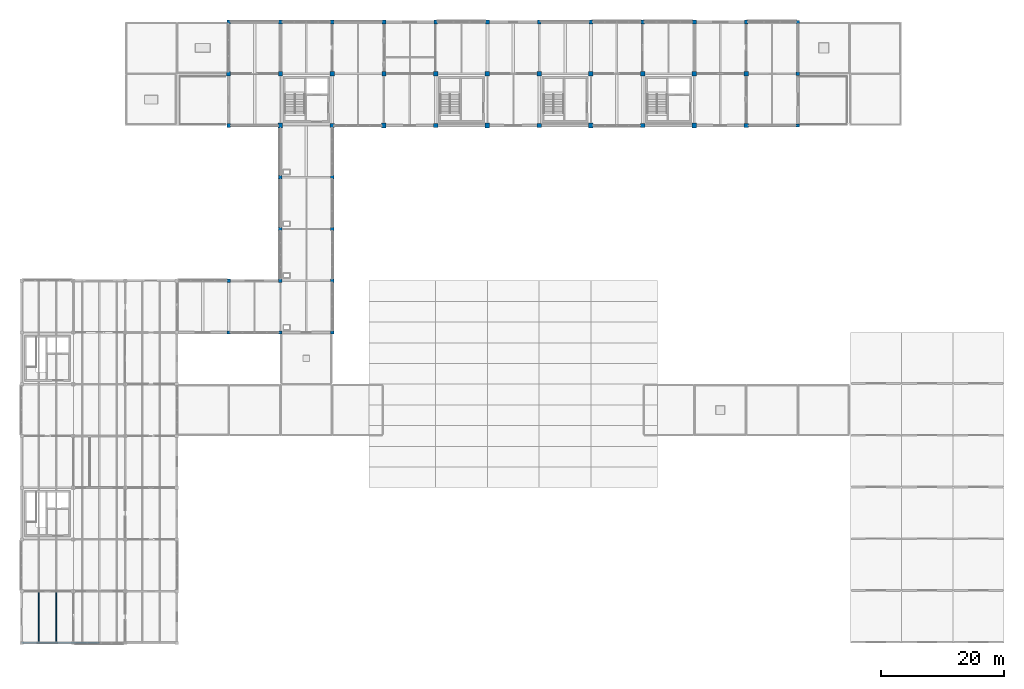
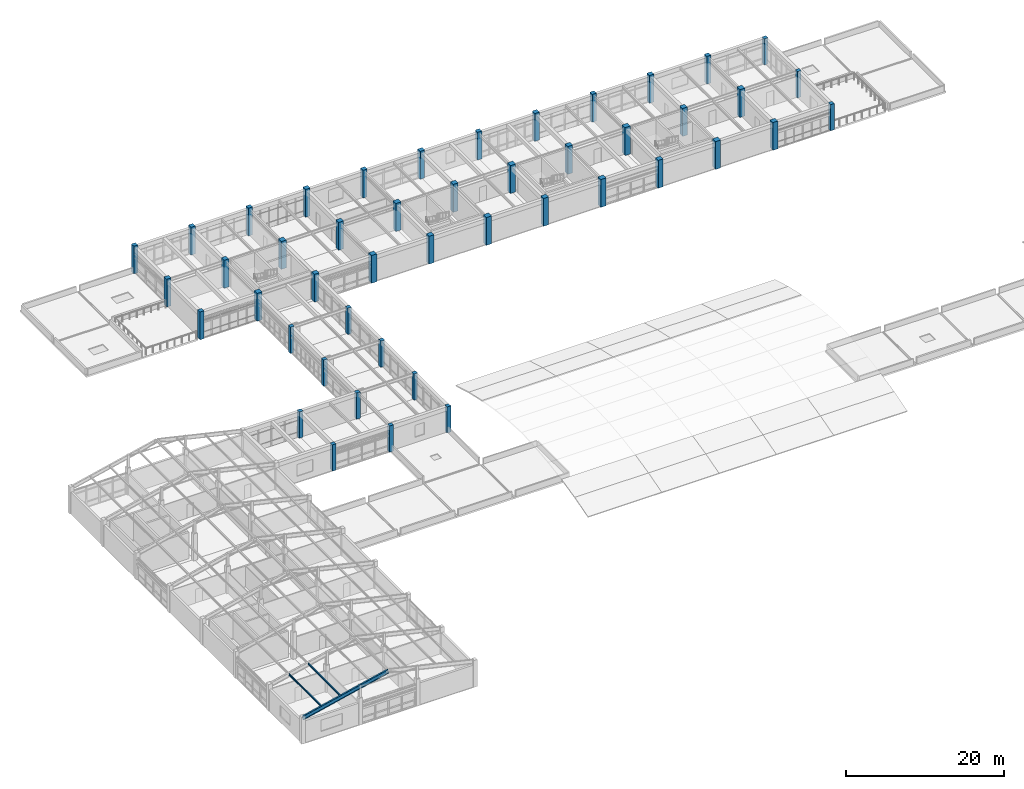
# One storey, part 3 of 40: 46 columns, 2 members, 1 beam.
"""IFC4 building model written with IfcOpenShell, lengths in metres."""

import ifcopenshell
import ifcopenshell.guid

model = None  # the IFC model being written
_history = None  # IfcOwnerHistory: only IFC2X3 demands one
_inside = {}  # id of a spatial element -> (the spatial element, [elements in it])
_under = {}  # id of a project, library or spatial element -> (it, [spatial elements below it])
_declared = {}  # id of a project -> (the project, [libraries it declares])
_typed = {}  # id of a type object -> (the type object, [elements of that type])
_made_of = {}  # id of a material, layer set ... -> (it, [elements and type objects made of it])


def new_model(schema):
    """Start an empty IFC model of exactly this schema.

    Asked for "IFC4X3", IfcOpenShell would pick the latest addendum, in which some entities
    have other attributes; the version numbers below select the first issue.
    IFC2X3 requires an IfcOwnerHistory on every rooted entity: one is made here for all.
    """
    global model, _history
    if schema == "IFC4X3":
        model = ifcopenshell.file(schema_version=(4, 3, 0, 0))
    else:
        model = ifcopenshell.file(schema=schema)
    _inside.clear()
    _under.clear()
    _declared.clear()
    _typed.clear()
    _made_of.clear()
    _history = None
    if model.schema == "IFC2X3":
        org = make("IfcOrganization", Name="unknown")
        user = make(
            "IfcPersonAndOrganization",
            ThePerson=make("IfcPerson", FamilyName="unknown"),
            TheOrganization=org,
        )
        app = make(
            "IfcApplication",
            ApplicationDeveloper=org,
            Version="unknown",
            ApplicationFullName="unknown",
            ApplicationIdentifier="unknown",
        )
        _history = make(
            "IfcOwnerHistory",
            OwningUser=user,
            OwningApplication=app,
            ChangeAction="ADDED",
            CreationDate=0,
        )
    return model


def make(cls, **values):
    """One entity of the class cls with the attributes given. An attribute that is None is left unset."""
    return model.create_entity(
        cls, **{name: value for name, value in values.items() if value is not None}
    )


def rooted(cls, **values):
    """An entity with a GlobalId (a new one), such as an element, a storey or a relation."""
    return make(cls, GlobalId=ifcopenshell.guid.new(), OwnerHistory=_history, **values)


def si_unit(unit_type, name, prefix=None):
    """IfcSIUnit, for example si_unit("LENGTHUNIT", "METRE", prefix="MILLI")."""
    return make("IfcSIUnit", UnitType=unit_type, Prefix=prefix, Name=name)


def assignment(units):
    """IfcUnitAssignment: the units of a project."""
    return None if units is None else make("IfcUnitAssignment", Units=units)


def point(xyz):
    """IfcCartesianPoint."""
    return None if xyz is None else make("IfcCartesianPoint", Coordinates=xyz)


def direction(xyz):
    """IfcDirection."""
    return None if xyz is None else make("IfcDirection", DirectionRatios=xyz)


def frame(location, z_axis=None, x_axis=None):
    """IfcAxis2Placement3D, a coordinate frame: its origin and axes. An axis left out is left unset."""
    return make(
        "IfcAxis2Placement3D",
        Location=point(location),
        Axis=direction(z_axis),
        RefDirection=direction(x_axis),
    )


def frame_2d(location, x_axis=None):
    """IfcAxis2Placement2D, a coordinate frame in the plane: its origin and x axis."""
    return make(
        "IfcAxis2Placement2D", Location=point(location), RefDirection=direction(x_axis)
    )


def origin():
    """The frame at (0, 0, 0) with its axes left unset."""
    return frame((0.0, 0.0, 0.0))


def origin_2d():
    """The frame at (0, 0) in the plane with its x axis left unset."""
    return frame_2d((0.0, 0.0))


def place(relative_to, where):
    """IfcLocalPlacement: puts the frame where relative to a parent placement (None: the world)."""
    return make(
        "IfcLocalPlacement", PlacementRelTo=relative_to, RelativePlacement=where
    )


def context(
    kind, dimensions, precision=None, world=None, true_north=None, identifier=None
):
    """IfcGeometricRepresentationContext, for example the 3D "Model" context."""
    return make(
        "IfcGeometricRepresentationContext",
        ContextIdentifier=identifier,
        ContextType=kind,
        CoordinateSpaceDimension=dimensions,
        Precision=precision,
        WorldCoordinateSystem=world,
        TrueNorth=true_north,
    )


def subcontext(parent, identifier, kind, view, scale=None):
    """IfcGeometricRepresentationSubContext, for example "Body" below "Model"."""
    return make(
        "IfcGeometricRepresentationSubContext",
        ContextIdentifier=identifier,
        ContextType=kind,
        ParentContext=parent,
        TargetScale=scale,
        TargetView=view,
    )


def project(units=None, contexts=None):
    """IfcProject with its units and contexts."""
    return rooted(
        "IfcProject",
        Name="project",
        RepresentationContexts=contexts,
        UnitsInContext=assignment(units),
    )


def spatial(cls, under=None, at=None, **own):
    """A site, building, storey or space (cls), placed at a placement, below another one or the project."""
    s = rooted(cls, ObjectPlacement=at, **own)
    if under is not None:
        _under.setdefault(under.id(), (under, []))[1].append(s)
    return s


def profile(cls, at=None, kind="AREA", **sizes):
    """A parametric profile (cls). Its sizes go by their IFC names, for example OverallWidth=200.0."""
    return make(cls, ProfileType=kind, Position=at, **sizes)


def rectangle(**sizes):
    """IfcRectangleProfileDef."""
    return profile("IfcRectangleProfileDef", **sizes)


def i_section(**sizes):
    """IfcIShapeProfileDef."""
    return profile("IfcIShapeProfileDef", **sizes)


def extrude(swept, where, along, depth):
    """IfcExtrudedAreaSolid: the profile swept, set in the frame where, extruded along a direction by depth."""
    return make(
        "IfcExtrudedAreaSolid",
        SweptArea=swept,
        Position=where,
        ExtrudedDirection=direction(along),
        Depth=depth,
    )


def shape(context_of_items, identifier, shape_type, items):
    """IfcShapeRepresentation: the items that make up one representation, for example the "Body"."""
    return make(
        "IfcShapeRepresentation",
        ContextOfItems=context_of_items,
        RepresentationIdentifier=identifier,
        RepresentationType=shape_type,
        Items=items,
    )


def material(Name=None, Category=None):
    """IfcMaterial."""
    return make("IfcMaterial", Name=Name, Category=Category)


def material_profile(
    of_material, cross_section, Name=None, Category=None, Priority=None
):
    """IfcMaterialProfile: a cross section and its material."""
    return make(
        "IfcMaterialProfile",
        Name=Name,
        Material=of_material,
        Profile=cross_section,
        Priority=Priority,
        Category=Category,
    )


def profile_set(profiles, Name=None, composite=None):
    """IfcMaterialProfileSet."""
    return make(
        "IfcMaterialProfileSet",
        Name=Name,
        MaterialProfiles=profiles,
        CompositeProfile=composite,
    )


def made_of(thing, what):
    """Note that an element or type object is made of a material, layer set ...; save() writes the relation."""
    if what is not None:
        _made_of.setdefault(what.id(), (what, []))[1].append(thing)
    return thing


def type_object(cls, material=None, **own):
    """A type object (cls), such as IfcWallType, which elements share."""
    return made_of(rooted(cls, **own), material)


def element(
    cls,
    number,
    at=None,
    inside=None,
    cuts=None,
    type_object=None,
    material=None,
    context=None,
    identifier="Body",
    shape_type=None,
    held_by="IfcProductDefinitionShape",
    body=None,
    shapes=None,
    **own,
):
    """One element of the class cls, such as IfcWall. Its Tag is "e" and its number.

    at: its placement. inside: the storey or other place that contains it. cuts: it is an
    opening in that element (IfcRelVoidsElement). A single representation is given by context,
    identifier, shape_type and body (its items); several are given by shapes. held_by: the class
    of the entity that holds the representations. save() writes the other relations.
    """
    e = rooted(cls, Tag="e%d" % number, ObjectPlacement=at, **own)
    if body is not None:
        shapes = [shape(context, identifier, shape_type, body)]
    if shapes is not None:
        e.Representation = make(held_by, Representations=shapes)
    if inside is not None:
        _inside.setdefault(inside.id(), (inside, []))[1].append(e)
    if cuts is not None:
        rooted(
            "IfcRelVoidsElement", RelatingBuildingElement=cuts, RelatedOpeningElement=e
        )
    if type_object is not None:
        _typed.setdefault(type_object.id(), (type_object, []))[1].append(e)
    return made_of(e, material)


def aggregate(whole, parts):
    """IfcRelAggregates: a whole, such as a stair, and the parts it consists of."""
    return rooted("IfcRelAggregates", RelatingObject=whole, RelatedObjects=parts)


def save(model, path):
    """Write the relations noted so far, then the file.

    IfcRelAggregates (storeys below a building ...), IfcRelContainedInSpatialStructure (elements
    in a storey), IfcRelDefinesByType, IfcRelAssociatesMaterial and IfcRelDeclares: one each for
    every whole, place, type object, material and project.
    """
    for whole, parts in _under.values():
        aggregate(whole, parts)
    for where, things in _inside.values():
        rooted(
            "IfcRelContainedInSpatialStructure",
            RelatedElements=things,
            RelatingStructure=where,
        )
    for kind, things in _typed.values():
        rooted("IfcRelDefinesByType", RelatedObjects=things, RelatingType=kind)
    for what, things in _made_of.values():
        rooted("IfcRelAssociatesMaterial", RelatedObjects=things, RelatingMaterial=what)
    for by, libraries in _declared.values():
        rooted("IfcRelDeclares", RelatingContext=by, RelatedDefinitions=libraries)
    model.write(path)


model = new_model("IFC4")

# Units and contexts
model_context = context("Model", 3, precision=1e-05, world=origin(), true_north=direction((0.0, 1.0)))
body_context = subcontext(model_context, "Body", "Model", "MODEL_VIEW")
ifc_project = project(units=[si_unit("LENGTHUNIT", "METRE"), si_unit("AREAUNIT", "SQUARE_METRE"), si_unit("VOLUMEUNIT", "CUBIC_METRE"), si_unit("PLANEANGLEUNIT", "RADIAN"), si_unit("MASSUNIT", "GRAM", prefix="KILO")], contexts=[model_context])

# Site, building, storey
site_placement = place(None, origin())
site = spatial("IfcSite", under=ifc_project, at=site_placement, CompositionType="ELEMENT")
building_placement = place(site_placement, origin())
building = spatial("IfcBuilding", under=site, at=building_placement, Name="Porcellanite Civic Hall", CompositionType="ELEMENT")
storey_placement = place(building_placement, frame((0.0, 0.0, 19.080078125)))
storey = spatial("IfcBuildingStorey", under=building, at=storey_placement, Name="L04", CompositionType="ELEMENT", Elevation=19.080078125)

# Columns
ifc_material_1 = material(Name="Concrete N50 (50 MPa)", Category="concrete")
ifc_material_profile_1 = material_profile(ifc_material_1, rectangle(XDim=0.550048828125, YDim=0.550048828125, at=origin_2d()), Name="RC-550x550")
ifc_profile_set_1 = profile_set([ifc_material_profile_1], Name="Concrete N50 (50 MPa)")
column_type_1 = type_object("IfcColumnType", Name="COL-550", PredefinedType="COLUMN", material=ifc_profile_set_1)
for number, where, z_axis, x_axis, name in (
    (1, (42.0, 67.199951171875, 0.0), (0.0, 0.0, 1.0), (1.0, 0.0, 0.0), "Column L04 5-8"),
    (2, (42.0, 75.60009765625, 0.0), (0.0, 0.0, 1.0), (1.0, 0.0, 0.0), "Column L04 5-9"),
    (3, (50.39990234375, 67.199951171875, 0.0), (0.0, 0.0, 1.0), (1.0, 0.0, 0.0), "Column L04 6-8"),
    (4, (50.39990234375, 75.60009765625, 0.0), (0.0, 0.0, 1.0), (1.0, 0.0, 0.0), "Column L04 6-9"),
    (5, (50.39990234375, 84.0, 0.0), (0.0, 0.0, 1.0), (1.0, 0.0, 0.0), "Column L04 6-10"),
    (6, (50.39990234375, 92.39990234375, 0.0), (0.0, 0.0, 1.0), (1.0, 0.0, 0.0), "Column L04 6-11"),
    (7, (58.800048828125, 67.199951171875, 0.0), (0.0, 0.0, 1.0), (1.0, 0.0, 0.0), "Column L04 7-8"),
    (8, (58.800048828125, 75.60009765625, 0.0), (0.0, 0.0, 1.0), (1.0, 0.0, 0.0), "Column L04 7-9"),
    (9, (58.800048828125, 84.0, 0.0), (0.0, 0.0, 1.0), (1.0, 0.0, 0.0), "Column L04 7-10"),
    (10, (58.800048828125, 92.39990234375, 0.0), (0.0, 0.0, 1.0), (1.0, 0.0, 0.0), "Column L04 7-11"),
    (11, (134.39990234375, 100.800048828125, 0.0), (0.0, 0.0, 1.0), (1.0, 0.0, 0.0), "Column L04 16-12"),
    (12, (134.39990234375, 109.199951171875, 0.0), (0.0, 0.0, 1.0), (1.0, 0.0, 0.0), "Column L04 16-13"),
    (13, (134.39990234375, 117.60009765625, 0.0), (0.0, 0.0, 1.0), (1.0, 0.0, 0.0), "Column L04 16-14"),
):
    element("IfcColumn", number, at=place(storey_placement, frame(where, z_axis=z_axis, x_axis=x_axis)), inside=storey, type_object=column_type_1, Name=name, PredefinedType="COLUMN", context=body_context, shape_type="SweptSolid", body=[
        extrude(rectangle(XDim=0.550048828125, YDim=0.550048828125, at=origin_2d()), origin(), (0.0, 0.0, 1.0), 4.06982421875),
    ])
ifc_material_2 = material(Name="Concrete N50 (50 MPa)", Category="concrete")
ifc_material_profile_2 = material_profile(ifc_material_2, rectangle(XDim=0.60009765625, YDim=0.60009765625, at=origin_2d()), Name="RC-600x600")
ifc_profile_set_2 = profile_set([ifc_material_profile_2], Name="Concrete N50 (50 MPa)")
column_type_2 = type_object("IfcColumnType", Name="COL-600", PredefinedType="COLUMN", material=ifc_profile_set_2)
for number, where, z_axis, x_axis, name in (
    (14, (42.0, 100.800048828125, 0.0), (0.0, 0.0, 1.0), (1.0, 0.0, 0.0), "Column L04 5-12"),
    (15, (42.0, 117.60009765625, 0.0), (0.0, 0.0, 1.0), (1.0, 0.0, 0.0), "Column L04 5-14"),
    (16, (58.800048828125, 117.60009765625, 0.0), (0.0, 0.0, 1.0), (1.0, 0.0, 0.0), "Column L04 7-14"),
    (17, (75.60009765625, 117.60009765625, 0.0), (0.0, 0.0, 1.0), (1.0, 0.0, 0.0), "Column L04 9-14"),
    (18, (92.39990234375, 117.60009765625, 0.0), (0.0, 0.0, 1.0), (1.0, 0.0, 0.0), "Column L04 11-14"),
    (19, (109.199951171875, 117.60009765625, 0.0), (0.0, 0.0, 1.0), (1.0, 0.0, 0.0), "Column L04 13-14"),
    (20, (126.0, 117.60009765625, 0.0), (0.0, 0.0, 1.0), (1.0, 0.0, 0.0), "Column L04 15-14"),
):
    element("IfcColumn", number, at=place(storey_placement, frame(where, z_axis=z_axis, x_axis=x_axis)), inside=storey, type_object=column_type_2, Name=name, PredefinedType="COLUMN", context=body_context, shape_type="SweptSolid", body=[
        extrude(rectangle(XDim=0.60009765625, YDim=0.60009765625, at=origin_2d()), origin(), (0.0, 0.0, 1.0), 4.31982421875),
    ])
ifc_material_3 = material(Name="Concrete N50 (50 MPa)", Category="concrete")
ifc_material_profile_3 = material_profile(ifc_material_3, rectangle(XDim=0.64990234375, YDim=0.64990234375, at=origin_2d()), Name="RC-650x650")
ifc_profile_set_3 = profile_set([ifc_material_profile_3], Name="Concrete N50 (50 MPa)")
column_type_3 = type_object("IfcColumnType", Name="COL-650", PredefinedType="COLUMN", material=ifc_profile_set_3)
for number, where, z_axis, x_axis, name in (
    (21, (42.0, 109.199951171875, 0.0), (0.0, 0.0, 1.0), (1.0, 0.0, 0.0), "Column L04 5-13"),
    (22, (50.39990234375, 117.60009765625, 0.0), (0.0, 0.0, 1.0), (1.0, 0.0, 0.0), "Column L04 6-14"),
    (23, (67.199951171875, 117.60009765625, 0.0), (0.0, 0.0, 1.0), (1.0, 0.0, 0.0), "Column L04 8-14"),
    (24, (84.0, 117.60009765625, 0.0), (0.0, 0.0, 1.0), (1.0, 0.0, 0.0), "Column L04 10-14"),
    (25, (100.800048828125, 117.60009765625, 0.0), (0.0, 0.0, 1.0), (1.0, 0.0, 0.0), "Column L04 12-14"),
    (26, (117.60009765625, 117.60009765625, 0.0), (0.0, 0.0, 1.0), (1.0, 0.0, 0.0), "Column L04 14-14"),
):
    element("IfcColumn", number, at=place(storey_placement, frame(where, z_axis=z_axis, x_axis=x_axis)), inside=storey, type_object=column_type_3, Name=name, PredefinedType="COLUMN", context=body_context, shape_type="SweptSolid", body=[
        extrude(rectangle(XDim=0.64990234375, YDim=0.64990234375, at=origin_2d()), origin(), (0.0, 0.0, 1.0), 4.31982421875),
    ])
ifc_material_4 = material(Name="Concrete N50 (50 MPa)", Category="concrete")
ifc_material_profile_4 = material_profile(ifc_material_4, rectangle(XDim=0.699951171875, YDim=0.699951171875, at=origin_2d()), Name="RC-700x700")
ifc_profile_set_4 = profile_set([ifc_material_profile_4], Name="Concrete N50 (50 MPa)")
column_type_4 = type_object("IfcColumnType", Name="COL-700", PredefinedType="COLUMN", material=ifc_profile_set_4)
for number, where, z_axis, x_axis, name in (
    (27, (50.39990234375, 109.199951171875, 0.0), (0.0, 0.0, 1.0), (1.0, 0.0, 0.0), "Column L04 6-13"),
    (28, (58.800048828125, 100.800048828125, 0.0), (0.0, 0.0, 1.0), (1.0, 0.0, 0.0), "Column L04 7-12"),
    (29, (67.199951171875, 109.199951171875, 0.0), (0.0, 0.0, 1.0), (1.0, 0.0, 0.0), "Column L04 8-13"),
    (30, (75.60009765625, 100.800048828125, 0.0), (0.0, 0.0, 1.0), (1.0, 0.0, 0.0), "Column L04 9-12"),
    (31, (84.0, 109.199951171875, 0.0), (0.0, 0.0, 1.0), (1.0, 0.0, 0.0), "Column L04 10-13"),
    (32, (92.39990234375, 100.800048828125, 0.0), (0.0, 0.0, 1.0), (1.0, 0.0, 0.0), "Column L04 11-12"),
    (33, (100.800048828125, 109.199951171875, 0.0), (0.0, 0.0, 1.0), (1.0, 0.0, 0.0), "Column L04 12-13"),
    (34, (109.199951171875, 100.800048828125, 0.0), (0.0, 0.0, 1.0), (1.0, 0.0, 0.0), "Column L04 13-12"),
    (35, (117.60009765625, 109.199951171875, 0.0), (0.0, 0.0, 1.0), (1.0, 0.0, 0.0), "Column L04 14-13"),
    (36, (126.0, 100.800048828125, 0.0), (0.0, 0.0, 1.0), (1.0, 0.0, 0.0), "Column L04 15-12"),
):
    element("IfcColumn", number, at=place(storey_placement, frame(where, z_axis=z_axis, x_axis=x_axis)), inside=storey, type_object=column_type_4, Name=name, PredefinedType="COLUMN", context=body_context, shape_type="SweptSolid", body=[
        extrude(rectangle(XDim=0.699951171875, YDim=0.699951171875, at=origin_2d()), origin(), (0.0, 0.0, 1.0), 4.31982421875),
    ])
ifc_material_5 = material(Name="Concrete N50 (50 MPa)", Category="concrete")
ifc_material_profile_5 = material_profile(ifc_material_5, rectangle(XDim=0.75, YDim=0.75, at=origin_2d()), Name="RC-750x750")
ifc_profile_set_5 = profile_set([ifc_material_profile_5], Name="Concrete N50 (50 MPa)")
column_type_5 = type_object("IfcColumnType", Name="COL-750", PredefinedType="COLUMN", material=ifc_profile_set_5)
for number, where, z_axis, x_axis, name in (
    (37, (50.39990234375, 100.800048828125, 0.0), (0.0, 0.0, 1.0), (1.0, 0.0, 0.0), "Column L04 6-12"),
    (38, (58.800048828125, 109.199951171875, 0.0), (0.0, 0.0, 1.0), (1.0, 0.0, 0.0), "Column L04 7-13"),
    (39, (67.199951171875, 100.800048828125, 0.0), (0.0, 0.0, 1.0), (1.0, 0.0, 0.0), "Column L04 8-12"),
    (40, (75.60009765625, 109.199951171875, 0.0), (0.0, 0.0, 1.0), (1.0, 0.0, 0.0), "Column L04 9-13"),
    (41, (84.0, 100.800048828125, 0.0), (0.0, 0.0, 1.0), (1.0, 0.0, 0.0), "Column L04 10-12"),
    (42, (92.39990234375, 109.199951171875, 0.0), (0.0, 0.0, 1.0), (1.0, 0.0, 0.0), "Column L04 11-13"),
    (43, (100.800048828125, 100.800048828125, 0.0), (0.0, 0.0, 1.0), (1.0, 0.0, 0.0), "Column L04 12-12"),
    (44, (109.199951171875, 109.199951171875, 0.0), (0.0, 0.0, 1.0), (1.0, 0.0, 0.0), "Column L04 13-13"),
    (45, (117.60009765625, 100.800048828125, 0.0), (0.0, 0.0, 1.0), (1.0, 0.0, 0.0), "Column L04 14-12"),
    (46, (126.0, 109.199951171875, 0.0), (0.0, 0.0, 1.0), (1.0, 0.0, 0.0), "Column L04 15-13"),
):
    element("IfcColumn", number, at=place(storey_placement, frame(where, z_axis=z_axis, x_axis=x_axis)), inside=storey, type_object=column_type_5, Name=name, PredefinedType="COLUMN", context=body_context, shape_type="SweptSolid", body=[
        extrude(rectangle(XDim=0.75, YDim=0.75, at=origin_2d()), origin(), (0.0, 0.0, 1.0), 4.31982421875),
    ])

# Members
ifc_material_6 = material(Name="Steel Grade 350", Category="steel")
ifc_material_profile_6 = material_profile(ifc_material_6, i_section(OverallWidth=0.14599609375, OverallDepth=0.251953125, WebThickness=0.006103515625, FlangeThickness=0.008544921875, FilletRadius=0.0087890625, at=origin_2d()), Name="250UB31.4")
ifc_profile_set_6 = profile_set([ifc_material_profile_6], Name="Steel Grade 350")
member_type = type_object("IfcMemberType", Name="PUR-250UB31", PredefinedType="PURLIN", material=ifc_profile_set_6)
for number, where, z_axis, x_axis, name in (
    (47, (11.199951171875, 16.9140625, 4.639892578125), (0.0, 1.0, 0.0), (-1.0, 0.0, 0.0), "Committee roof purlin 2 11.2"),
    (48, (14.0, 16.9140625, 5.286376953125), (0.0, 1.0, 0.0), (-1.0, 0.0, 0.0), "Committee roof purlin 2 14.0"),
):
    element("IfcMember", number, at=place(storey_placement, frame(where, z_axis=z_axis, x_axis=x_axis)), inside=storey, type_object=member_type, Name=name, PredefinedType="PURLIN", context=body_context, shape_type="SweptSolid", body=[
        extrude(i_section(OverallWidth=0.14599609375, OverallDepth=0.251953125, WebThickness=0.006103515625, FlangeThickness=0.008544921875, FilletRadius=0.0087890625, at=origin_2d()), origin(), (0.0, 0.0, 1.0), 8.171875),
    ])

# Beam
ifc_material_7 = material(Name="Steel Grade 350", Category="steel")
ifc_material_profile_7 = material_profile(ifc_material_7, i_section(OverallWidth=0.22802734375, OverallDepth=0.60205078125, WebThickness=0.010498046875, FlangeThickness=0.014892578125, FilletRadius=0.013916015625, at=origin_2d()), Name="610UB101")
ifc_profile_set_7 = profile_set([ifc_material_profile_7], Name="Steel Grade 350")
beam_type = type_object("IfcBeamType", Name="RAF-610UB101", PredefinedType="BEAM", material=ifc_profile_set_7)
beam_placement = place(storey_placement, frame((8.39990234375, 16.800048828125, 3.8203125), z_axis=(0.974370508985, 0.0, 0.224949130296), x_axis=(0.0, 1.0, 0.0)))
element("IfcBeam", 49, at=beam_placement, inside=storey, type_object=beam_type, Name="Committee west rafter 2", PredefinedType="BEAM", context=body_context, shape_type="SweptSolid", body=[
    extrude(i_section(OverallWidth=0.22802734375, OverallDepth=0.60205078125, WebThickness=0.010498046875, FlangeThickness=0.014892578125, FilletRadius=0.013916015625, at=origin_2d()), origin(), (0.0, 0.0, 1.0), 12.931640625),
])

save(model, "model.ifc")
